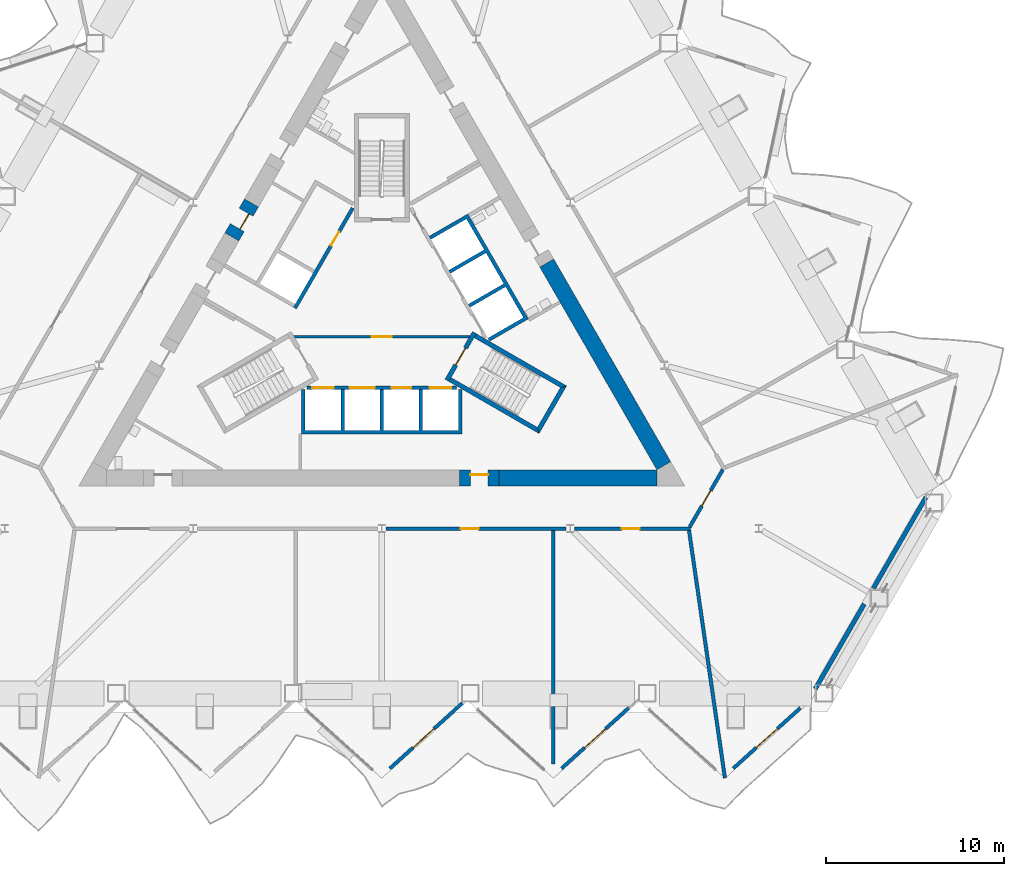
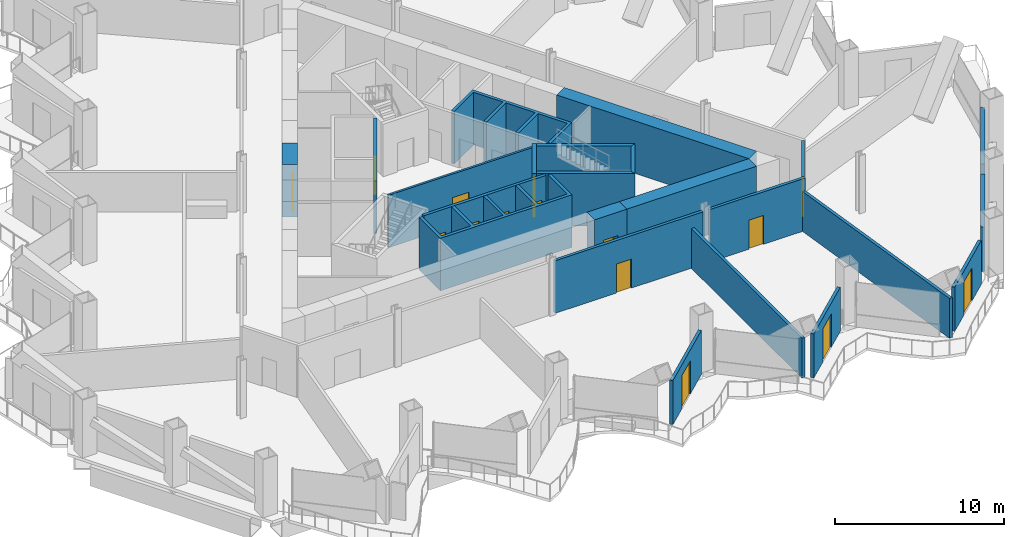
# One storey, part 10 of 22: 23 walls, 15 doors, 15 openings.
"""IFC4 building model written with IfcOpenShell, lengths in metres."""

from ifc_helpers import new_model, si_unit, direction, frame, frame_2d, origin, place, context, subcontext, project, spatial, polyline, rectangle, outline, extrude, material, layer, layer_set, type_object, element, fill, save


model = new_model("IFC4")

# Units and contexts
model_context = context("Model", 3, precision=1e-05, world=origin(), true_north=direction((0.0, 1.0)))
body_context = subcontext(model_context, "Body", "Model", "MODEL_VIEW")
ifc_project = project(units=[si_unit("LENGTHUNIT", "METRE"), si_unit("AREAUNIT", "SQUARE_METRE"), si_unit("VOLUMEUNIT", "CUBIC_METRE"), si_unit("PLANEANGLEUNIT", "RADIAN"), si_unit("MASSUNIT", "GRAM", prefix="KILO")], contexts=[model_context])

# Site, building, storey
site_placement = place(None, origin())
site = spatial("IfcSite", under=ifc_project, at=site_placement, CompositionType="ELEMENT")
building_placement = place(site_placement, origin())
building = spatial("IfcBuilding", under=site, at=building_placement, Name="Cormorant Prow Tower", CompositionType="ELEMENT")
storey_placement = place(building_placement, frame((0.0, 0.0, 30.0)))
storey = spatial("IfcBuildingStorey", under=building, at=storey_placement, Name="L05", CompositionType="ELEMENT", Elevation=30.0)

# Wall, opening, door
ifc_material_1 = material(Name="Gypsum board partition")
ifc_layer_1 = layer(ifc_material_1, 0.14990234375)
ifc_layer_set_1 = layer_set([ifc_layer_1], Name="Gypsum board partition")
wall_type_1 = type_object("IfcWallType", Name="Core partition 150", PredefinedType="PARTITIONING", material=ifc_layer_set_1)
wall_1_placement = place(storey_placement, frame((-4.941162109375, -1.449951171875, 0.0), z_axis=(0.0, 0.0, 1.0), x_axis=(1.0, 0.0, 0.0)))
wall_1 = element("IfcWall", 1, at=wall_1_placement, inside=storey, type_object=wall_type_1, Name="Firefighting lobby partition", PredefinedType="PARTITIONING", context=body_context, shape_type="SweptSolid", body=[
    extrude(rectangle(XDim=9.88232421875, YDim=0.14990234375, at=frame_2d((4.941162109375, 0.0))), origin(), (0.0, 0.0, 1.0), 3.800048828125),
])
opening_1_placement = place(wall_1_placement, frame((4.39111328125, 0.0, 0.0)))
opening_1 = element("IfcOpeningElement", 2, at=opening_1_placement, cuts=wall_1, Name="Opening L05-C10", PredefinedType="OPENING", context=body_context, shape_type="SweptSolid", body=[
    extrude(rectangle(XDim=1.10009765625, YDim=2.10009765625, at=frame_2d((0.550048828125, 1.050048828125))), frame((0.0, 0.0849609375, 0.0), z_axis=(0.0, -1.0, 0.0), x_axis=(1.0, 0.0, 0.0)), (0.0, 0.0, 1.0), 0.169921875),
])
ifc_material_2 = material(Name="Painted steel", Category="steel")
door_type_1 = type_object("IfcDoorType", Name="Firefighting lobby door 1100x2100", OperationType="NOTDEFINED", PredefinedType="DOOR", material=ifc_material_2)
door_1_placement = place(opening_1_placement, origin())
door_1 = element("IfcDoor", 3, at=door_1_placement, inside=storey, type_object=door_type_1, Name="Firefighting lobby door", OperationType="SINGLE_SWING_LEFT", OverallHeight=2.10009765625, OverallWidth=1.10009765625, PredefinedType="DOOR", context=body_context, shape_type="SweptSolid", body=[
    extrude(rectangle(XDim=1.10009765625, YDim=2.10009765625, at=frame_2d((0.550048828125, 1.050048828125))), frame((0.0, 0.02490234375, 0.0), z_axis=(0.0, -1.0, 0.0), x_axis=(1.0, 0.0, 0.0)), (0.0, 0.0, 1.0), 0.050048828125),
])
fill(opening_1, door_1)

# Walls
ifc_material_3 = material(Name="Concrete 8000 psi", Category="concrete")
ifc_layer_2 = layer(ifc_material_3, 0.89990234375)
ifc_layer_set_2 = layer_set([ifc_layer_2], Name="Concrete 8000 psi")
wall_type_2 = type_object("IfcWallType", Name="Core shear wall 900", PredefinedType="SHEAR", material=ifc_layer_set_2)
wall_2_placement = place(storey_placement, frame((6.570556640625, -9.364990234375, 0.0), z_axis=(0.0, 0.0, 1.0), x_axis=(1.0, 0.0, 0.0)))
element("IfcWall", 4, at=wall_2_placement, inside=storey, type_object=wall_type_2, Name="Core wall", PredefinedType="SHEAR", context=body_context, shape_type="SweptSolid", body=[
    extrude(rectangle(XDim=8.87060546875, YDim=0.89990234375, at=frame_2d((4.435302734375, 0.0))), origin(), (0.0, 0.0, 1.0), 3.800048828125),
])
wall_3_placement = place(storey_placement, frame((15.830810546875, -8.68994140625, 0.0), z_axis=(0.0, 0.0, 1.0), x_axis=(-0.499997452939, 0.866026874326, 0.0)))
element("IfcWall", 5, at=wall_3_placement, inside=storey, type_object=wall_type_2, Name="Core wall", PredefinedType="SHEAR", context=body_context, shape_type="SweptSolid", body=[
    extrude(rectangle(XDim=13.14111328125, YDim=0.89990234375, at=frame_2d((6.570556640625, 0.0))), origin(), (0.0, 0.0, 1.0), 3.800048828125),
])

# Wall, opening, door
wall_4_placement = place(storey_placement, frame((4.37060546875, -9.364990234375, 0.0), z_axis=(0.0, 0.0, 1.0), x_axis=(1.0, 0.0, 0.0)))
wall_4 = element("IfcWall", 6, at=wall_4_placement, inside=storey, type_object=wall_type_2, Name="Core wall door panel", PredefinedType="SHEAR", context=body_context, shape_type="SweptSolid", body=[
    extrude(rectangle(XDim=2.199951171875, YDim=0.89990234375, at=frame_2d((1.10009765625, 0.0))), origin(), (0.0, 0.0, 1.0), 3.800048828125),
])
opening_2_placement = place(wall_4_placement, frame((0.60009765625, 0.0, 0.0)))
opening_2 = element("IfcOpeningElement", 7, at=opening_2_placement, cuts=wall_4, Name="Opening L05-C15", PredefinedType="OPENING", context=body_context, shape_type="SweptSolid", body=[
    extrude(rectangle(XDim=1.0, YDim=2.10009765625, at=frame_2d((0.5, 1.050048828125))), frame((0.0, 0.4599609375, 0.0), z_axis=(0.0, -1.0, 0.0), x_axis=(1.0, 0.0, 0.0)), (0.0, 0.0, 1.0), 0.919921875),
])
ifc_material_4 = material(Name="Painted steel", Category="steel")
door_type_2 = type_object("IfcDoorType", Name="Service door 1000x2100", OperationType="NOTDEFINED", PredefinedType="DOOR", material=ifc_material_4)
door_2_placement = place(opening_2_placement, origin())
door_2 = element("IfcDoor", 8, at=door_2_placement, inside=storey, type_object=door_type_2, Name="Core door, Electrical room", OperationType="SINGLE_SWING_RIGHT", OverallHeight=2.10009765625, OverallWidth=1.0, PredefinedType="DOOR", context=body_context, shape_type="SweptSolid", body=[
    extrude(rectangle(XDim=1.0, YDim=2.10009765625, at=frame_2d((0.5, 1.050048828125))), frame((0.0, 0.205078125, 0.0), z_axis=(0.0, -1.0, 0.0), x_axis=(1.0, 0.0, 0.0)), (0.0, 0.0, 1.0), 0.050048828125),
])
fill(opening_2, door_2)

wall_5_placement = place(storey_placement, frame((-7.3134765625, 6.0625, 0.0), z_axis=(0.0, 0.0, 1.0), x_axis=(-0.500077893725, -0.86598042715, 0.0)))
wall_5 = element("IfcWall", 9, at=wall_5_placement, inside=storey, type_object=wall_type_2, Name="Core wall door panel", PredefinedType="SHEAR", context=body_context, shape_type="SweptSolid", body=[
    extrude(rectangle(XDim=2.199951171875, YDim=0.89990234375, at=frame_2d((1.10009765625, 0.0))), origin(), (0.0, 0.0, 1.0), 3.800048828125),
])
opening_3_placement = place(wall_5_placement, frame((0.60009765625, 0.0, 0.0)))
opening_3 = element("IfcOpeningElement", 10, at=opening_3_placement, cuts=wall_5, Name="Opening L05-C18", PredefinedType="OPENING", context=body_context, shape_type="SweptSolid", body=[
    extrude(rectangle(XDim=1.0, YDim=2.10009765625, at=frame_2d((0.5, 1.050048828125))), frame((0.0, 0.4599609375, 0.0), z_axis=(0.0, -1.0, 0.0), x_axis=(1.0, 0.0, 0.0)), (0.0, 0.0, 1.0), 0.919921875),
])
door_3_placement = place(opening_3_placement, origin())
door_3 = element("IfcDoor", 11, at=door_3_placement, inside=storey, type_object=door_type_2, Name="Core door, Housekeeping store", OperationType="SINGLE_SWING_LEFT", OverallHeight=2.10009765625, OverallWidth=1.0, PredefinedType="DOOR", context=body_context, shape_type="SweptSolid", body=[
    extrude(rectangle(XDim=1.0, YDim=2.10009765625, at=frame_2d((0.5, 1.050048828125))), frame((0.0, 0.205078125, 0.0), z_axis=(0.0, -1.0, 0.0), x_axis=(1.0, 0.0, 0.0)), (0.0, 0.0, 1.0), 0.050048828125),
])
fill(opening_3, door_3)

ifc_material_5 = material(Name="Gypsum board corridor wall")
ifc_layer_3 = layer(ifc_material_5, 0.199951171875)
ifc_layer_set_3 = layer_set([ifc_layer_3], Name="Gypsum board corridor wall")
wall_type_3 = type_object("IfcWallType", Name="Corridor wall 200", PredefinedType="PARTITIONING", material=ifc_layer_set_3)
wall_6_placement = place(storey_placement, frame((0.2421875, -12.215087890625, 0.0), z_axis=(0.0, 0.0, 1.0), x_axis=(1.0, 0.0, 0.0)))
wall_6 = element("IfcWall", 12, at=wall_6_placement, inside=storey, type_object=wall_type_3, Name="Corridor wall", PredefinedType="PARTITIONING", context=body_context, shape_type="SweptSolid", body=[
    extrude(rectangle(XDim=10.093994140625, YDim=0.199951171875, at=frame_2d((5.046875, 0.0))), origin(), (0.0, 0.0, 1.0), 3.800048828125),
])
opening_4_placement = place(wall_6_placement, frame((4.193115234375, 0.0, 0.0)))
opening_4 = element("IfcOpeningElement", 13, at=opening_4_placement, cuts=wall_6, Name="Opening L05-F02", PredefinedType="OPENING", context=body_context, shape_type="SweptSolid", body=[
    extrude(rectangle(XDim=1.0, YDim=2.10009765625, at=frame_2d((0.5, 1.050048828125))), frame((0.0, 0.10986328125, 0.0), z_axis=(0.0, -1.0, 0.0), x_axis=(1.0, 0.0, 0.0)), (0.0, 0.0, 1.0), 0.219970703125),
])
ifc_material_6 = material(Name="Timber door leaf", Category="wood")
door_type_3 = type_object("IfcDoorType", Name="Office door 1000x2100", OperationType="NOTDEFINED", PredefinedType="DOOR", material=ifc_material_6)
door_4_placement = place(opening_4_placement, origin())
door_4 = element("IfcDoor", 14, at=door_4_placement, inside=storey, type_object=door_type_3, Name="Tenant reception door", OperationType="SINGLE_SWING_LEFT", OverallHeight=2.10009765625, OverallWidth=1.0, PredefinedType="DOOR", context=body_context, shape_type="SweptSolid", body=[
    extrude(rectangle(XDim=1.0, YDim=2.10009765625, at=frame_2d((0.5, 1.050048828125))), frame((0.0, 0.02490234375, 0.0), z_axis=(0.0, -1.0, 0.0), x_axis=(1.0, 0.0, 0.0)), (0.0, 0.0, 1.0), 0.050048828125),
])
fill(opening_4, door_4)

wall_7_placement = place(storey_placement, frame((10.82080078125, -12.215087890625, 0.0), z_axis=(0.0, 0.0, 1.0), x_axis=(1.0, 0.0, 0.0)))
wall_7 = element("IfcWall", 15, at=wall_7_placement, inside=storey, type_object=wall_type_3, Name="Corridor wall", PredefinedType="PARTITIONING", context=body_context, shape_type="SweptSolid", body=[
    extrude(rectangle(XDim=6.510009765625, YDim=0.199951171875, at=frame_2d((3.2548828125, 0.0))), origin(), (0.0, 0.0, 1.0), 3.800048828125),
])
opening_5_placement = place(wall_7_placement, frame((2.65478515625, 0.0, 0.0)))
opening_5 = element("IfcOpeningElement", 16, at=opening_5_placement, cuts=wall_7, Name="Opening L05-F03", PredefinedType="OPENING", context=body_context, shape_type="SweptSolid", body=[
    extrude(rectangle(XDim=1.0, YDim=2.10009765625, at=frame_2d((0.5, 1.050048828125))), frame((0.0, 0.10986328125, 0.0), z_axis=(0.0, -1.0, 0.0), x_axis=(1.0, 0.0, 0.0)), (0.0, 0.0, 1.0), 0.219970703125),
])
door_5_placement = place(opening_5_placement, origin())
door_5 = element("IfcDoor", 17, at=door_5_placement, inside=storey, type_object=door_type_3, Name="Tenant suite door", OperationType="SINGLE_SWING_LEFT", OverallHeight=2.10009765625, OverallWidth=1.0, PredefinedType="DOOR", context=body_context, shape_type="SweptSolid", body=[
    extrude(rectangle(XDim=1.0, YDim=2.10009765625, at=frame_2d((0.5, 1.050048828125))), frame((0.0, 0.02490234375, 0.0), z_axis=(0.0, -1.0, 0.0), x_axis=(1.0, 0.0, 0.0)), (0.0, 0.0, 1.0), 0.050048828125),
])
fill(opening_5, door_5)

wall_8_placement = place(storey_placement, frame((17.281005859375, -12.12841796875, 0.0), z_axis=(0.0, 0.0, 1.0), x_axis=(0.499958791762, 0.866049194065, 0.0)))
wall_8 = element("IfcWall", 18, at=wall_8_placement, inside=storey, type_object=wall_type_3, Name="Corridor wall", PredefinedType="PARTITIONING", context=body_context, shape_type="SweptSolid", body=[
    extrude(rectangle(XDim=3.725830078125, YDim=0.199951171875, at=frame_2d((1.86279296875, 0.0))), origin(), (0.0, 0.0, 1.0), 3.800048828125),
])
opening_6_placement = place(wall_8_placement, frame((1.363037109375, 0.0, 0.0)))
opening_6 = element("IfcOpeningElement", 19, at=opening_6_placement, cuts=wall_8, Name="Opening L05-F04", PredefinedType="OPENING", context=body_context, shape_type="SweptSolid", body=[
    extrude(rectangle(XDim=1.0, YDim=2.10009765625, at=frame_2d((0.5, 1.050048828125))), frame((0.0, 0.10986328125, 0.0), z_axis=(0.0, -1.0, 0.0), x_axis=(1.0, 0.0, 0.0)), (0.0, 0.0, 1.0), 0.219970703125),
])
door_6_placement = place(opening_6_placement, origin())
door_6 = element("IfcDoor", 20, at=door_6_placement, inside=storey, type_object=door_type_3, Name="Tenant suite door", OperationType="SINGLE_SWING_RIGHT", OverallHeight=2.10009765625, OverallWidth=1.0, PredefinedType="DOOR", context=body_context, shape_type="SweptSolid", body=[
    extrude(rectangle(XDim=1.0, YDim=2.10009765625, at=frame_2d((0.5, 1.050048828125))), frame((0.0, 0.02490234375, 0.0), z_axis=(0.0, -1.0, 0.0), x_axis=(1.0, 0.0, 0.0)), (0.0, 0.0, 1.0), 0.050048828125),
])
fill(opening_6, door_6)

# Walls
ifc_material_7 = material(Name="Gypsum board demising wall")
ifc_layer_4 = layer(ifc_material_7, 0.199951171875)
ifc_layer_set_4 = layer_set([ifc_layer_4], Name="Gypsum board demising wall")
wall_type_4 = type_object("IfcWallType", Name="Demising wall 200", PredefinedType="PARTITIONING", material=ifc_layer_set_4)
wall_9_placement = place(storey_placement, frame((17.245361328125, -12.31396484375, 0.0), z_axis=(0.0, 0.0, 1.0), x_axis=(0.143525263071, -0.989646653539, 0.0)))
element("IfcWall", 21, at=wall_9_placement, inside=storey, type_object=wall_type_4, Name="Demising wall", PredefinedType="PARTITIONING", context=body_context, shape_type="SweptSolid", body=[
    extrude(rectangle(XDim=14.050537109375, YDim=0.199951171875, at=frame_2d((7.025390625, 0.0))), origin(), (0.0, 0.0, 1.0), 2.88525390625),
])
wall_10_placement = place(storey_placement, frame((9.635009765625, -25.42138671875, 0.0), z_axis=(0.0, 0.0, 1.0), x_axis=(0.0, 1.0, 0.0)))
element("IfcWall", 22, at=wall_10_placement, inside=storey, type_object=wall_type_4, Name="Demising wall", PredefinedType="PARTITIONING", context=body_context, shape_type="SweptSolid", body=[
    extrude(rectangle(XDim=13.1064453125, YDim=0.199951171875, at=frame_2d((6.55322265625, 0.0))), origin(), (0.0, 0.0, 1.0), 2.88525390625),
])

# Wall, openings, doors
ifc_material_8 = material(Name="Concrete 5000 psi", Category="concrete")
ifc_layer_5 = layer(ifc_material_8, 0.199951171875)
ifc_layer_set_5 = layer_set([ifc_layer_5], Name="Concrete 5000 psi")
wall_type_5 = type_object("IfcWallType", Name="Lift lobby wall 200", PredefinedType="SOLIDWALL", material=ifc_layer_set_5)
wall_11_placement = place(storey_placement, frame((-4.1865234375, -4.300048828125, 0.0), z_axis=(0.0, 0.0, 1.0), x_axis=(1.0, 0.0, 0.0)))
wall_11 = element("IfcWall", 23, at=wall_11_placement, inside=storey, type_object=wall_type_5, Name="Lift lobby wall, S block", PredefinedType="SOLIDWALL", context=body_context, shape_type="SweptSolid", body=[
    extrude(rectangle(XDim=8.373046875, YDim=0.199951171875, at=frame_2d((4.1865234375, 0.0))), origin(), (0.0, 0.0, 1.0), 3.800048828125),
])
opening_7_placement = place(wall_11_placement, frame((0.28662109375, 0.0, 0.0)))
opening_7 = element("IfcOpeningElement", 24, at=opening_7_placement, cuts=wall_11, Name="Opening L05-C01", PredefinedType="OPENING", context=body_context, shape_type="SweptSolid", body=[
    extrude(rectangle(XDim=1.199951171875, YDim=2.10009765625, at=frame_2d((0.60009765625, 1.050048828125))), frame((0.0, 0.10986328125, 0.0), z_axis=(0.0, -1.0, 0.0), x_axis=(1.0, 0.0, 0.0)), (0.0, 0.0, 1.0), 0.219970703125),
])
opening_8_placement = place(wall_11_placement, frame((2.38671875, 0.0, 0.0)))
opening_8 = element("IfcOpeningElement", 25, at=opening_8_placement, cuts=wall_11, Name="Opening L05-C02", PredefinedType="OPENING", context=body_context, shape_type="SweptSolid", body=[
    extrude(rectangle(XDim=1.39990234375, YDim=2.10009765625, at=frame_2d((0.699951171875, 1.050048828125))), frame((0.0, 0.10986328125, 0.0), z_axis=(0.0, -1.0, 0.0), x_axis=(1.0, 0.0, 0.0)), (0.0, 0.0, 1.0), 0.219970703125),
])
opening_9_placement = place(wall_11_placement, frame((4.736572265625, 0.0, 0.0)))
opening_9 = element("IfcOpeningElement", 26, at=opening_9_placement, cuts=wall_11, Name="Opening L05-C03", PredefinedType="OPENING", context=body_context, shape_type="SweptSolid", body=[
    extrude(rectangle(XDim=1.10009765625, YDim=2.10009765625, at=frame_2d((0.550048828125, 1.050048828125))), frame((0.0, 0.10986328125, 0.0), z_axis=(0.0, -1.0, 0.0), x_axis=(1.0, 0.0, 0.0)), (0.0, 0.0, 1.0), 0.219970703125),
])
opening_10_placement = place(wall_11_placement, frame((6.88671875, 0.0, 0.0)))
opening_10 = element("IfcOpeningElement", 27, at=opening_10_placement, cuts=wall_11, Name="Opening L05-C04", PredefinedType="OPENING", context=body_context, shape_type="SweptSolid", body=[
    extrude(rectangle(XDim=1.199951171875, YDim=2.10009765625, at=frame_2d((0.60009765625, 1.050048828125))), frame((0.0, 0.10986328125, 0.0), z_axis=(0.0, -1.0, 0.0), x_axis=(1.0, 0.0, 0.0)), (0.0, 0.0, 1.0), 0.219970703125),
])
ifc_material_9 = material(Name="Painted steel", Category="steel")
door_type_4 = type_object("IfcDoorType", Name="Firefighting lift landing door 1200x2100", OperationType="SLIDING_TO_LEFT", PredefinedType="DOOR", material=ifc_material_9)
door_7_placement = place(opening_7_placement, origin())
door_7 = element("IfcDoor", 28, at=door_7_placement, inside=storey, type_object=door_type_4, Name="Landing door FL1", OperationType="SLIDING_TO_LEFT", OverallHeight=2.10009765625, OverallWidth=1.199951171875, PredefinedType="DOOR", context=body_context, shape_type="SweptSolid", body=[
    extrude(rectangle(XDim=1.199951171875, YDim=2.10009765625, at=frame_2d((0.60009765625, 1.050048828125))), frame((0.0, 0.02490234375, 0.0), z_axis=(0.0, -1.0, 0.0), x_axis=(1.0, 0.0, 0.0)), (0.0, 0.0, 1.0), 0.050048828125),
])
fill(opening_7, door_7)
door_8_placement = place(opening_10_placement, origin())
door_8 = element("IfcDoor", 29, at=door_8_placement, inside=storey, type_object=door_type_4, Name="Landing door FL2", OperationType="SLIDING_TO_LEFT", OverallHeight=2.10009765625, OverallWidth=1.199951171875, PredefinedType="DOOR", context=body_context, shape_type="SweptSolid", body=[
    extrude(rectangle(XDim=1.199951171875, YDim=2.10009765625, at=frame_2d((0.60009765625, 1.050048828125))), frame((0.0, 0.02490234375, 0.0), z_axis=(0.0, -1.0, 0.0), x_axis=(1.0, 0.0, 0.0)), (0.0, 0.0, 1.0), 0.050048828125),
])
fill(opening_10, door_8)
ifc_material_10 = material(Name="Painted steel", Category="steel")
door_type_5 = type_object("IfcDoorType", Name="Lift landing door 1100x2100", OperationType="SLIDING_TO_LEFT", PredefinedType="DOOR", material=ifc_material_10)
door_9_placement = place(opening_9_placement, origin())
door_9 = element("IfcDoor", 30, at=door_9_placement, inside=storey, type_object=door_type_5, Name="Landing door LR1", OperationType="SLIDING_TO_LEFT", OverallHeight=2.10009765625, OverallWidth=1.10009765625, PredefinedType="DOOR", context=body_context, shape_type="SweptSolid", body=[
    extrude(rectangle(XDim=1.10009765625, YDim=2.10009765625, at=frame_2d((0.550048828125, 1.050048828125))), frame((0.0, 0.02490234375, 0.0), z_axis=(0.0, -1.0, 0.0), x_axis=(1.0, 0.0, 0.0)), (0.0, 0.0, 1.0), 0.050048828125),
])
fill(opening_9, door_9)
ifc_material_11 = material(Name="Painted steel", Category="steel")
door_type_6 = type_object("IfcDoorType", Name="Service lift landing door 1400x2100", OperationType="SLIDING_TO_LEFT", PredefinedType="DOOR", material=ifc_material_11)
door_10_placement = place(opening_8_placement, origin())
door_10 = element("IfcDoor", 31, at=door_10_placement, inside=storey, type_object=door_type_6, Name="Landing door SL1", OperationType="SLIDING_TO_LEFT", OverallHeight=2.10009765625, OverallWidth=1.39990234375, PredefinedType="DOOR", context=body_context, shape_type="SweptSolid", body=[
    extrude(rectangle(XDim=1.39990234375, YDim=2.10009765625, at=frame_2d((0.699951171875, 1.050048828125))), frame((0.0, 0.02490234375, 0.0), z_axis=(0.0, -1.0, 0.0), x_axis=(1.0, 0.0, 0.0)), (0.0, 0.0, 1.0), 0.050048828125),
])
fill(opening_8, door_10)

# Wall, opening, door
wall_12_placement = place(storey_placement, frame((-1.630615234375, 5.775634765625, 0.0), z_axis=(0.0, 0.0, 1.0), x_axis=(-0.499992876559, -0.866029516466, 0.0)))
wall_12 = element("IfcWall", 32, at=wall_12_placement, inside=storey, type_object=wall_type_5, Name="Lift lobby wall, WNW block", PredefinedType="SOLIDWALL", context=body_context, shape_type="SweptSolid", body=[
    extrude(rectangle(XDim=6.486328125, YDim=0.199951171875, at=frame_2d((3.2431640625, 0.0))), origin(), (0.0, 0.0, 1.0), 3.800048828125),
])
opening_11_placement = place(wall_12_placement, frame((1.53662109375, 0.0, 0.0)))
opening_11 = element("IfcOpeningElement", 33, at=opening_11_placement, cuts=wall_12, Name="Opening L05-C09", PredefinedType="OPENING", context=body_context, shape_type="SweptSolid", body=[
    extrude(rectangle(XDim=0.89990234375, YDim=2.10009765625, at=frame_2d((0.449951171875, 1.050048828125))), frame((0.0, 0.10986328125, 0.0), z_axis=(0.0, -1.0, 0.0), x_axis=(1.0, 0.0, 0.0)), (0.0, 0.0, 1.0), 0.219970703125),
])
ifc_material_12 = material(Name="Painted steel", Category="steel")
door_type_7 = type_object("IfcDoorType", Name="Service door 900x2100", OperationType="NOTDEFINED", PredefinedType="DOOR", material=ifc_material_12)
door_11_placement = place(opening_11_placement, origin())
door_11 = element("IfcDoor", 34, at=door_11_placement, inside=storey, type_object=door_type_7, Name="Service door, Linen store", OperationType="SINGLE_SWING_LEFT", OverallHeight=2.10009765625, OverallWidth=0.89990234375, PredefinedType="DOOR", context=body_context, shape_type="SweptSolid", body=[
    extrude(rectangle(XDim=0.89990234375, YDim=2.10009765625, at=frame_2d((0.449951171875, 1.050048828125))), frame((0.0, 0.02490234375, 0.0), z_axis=(0.0, -1.0, 0.0), x_axis=(1.0, 0.0, 0.0)), (0.0, 0.0, 1.0), 0.050048828125),
])
fill(opening_11, door_11)

# Walls
ifc_material_13 = material(Name="Concrete 8000 psi", Category="concrete")
ifc_layer_6 = layer(ifc_material_13, 0.199951171875)
ifc_layer_set_6 = layer_set([ifc_layer_6], Name="Concrete 8000 psi")
wall_type_6 = type_object("IfcWallType", Name="Lift shaft wall 200", PredefinedType="SHEAR", material=ifc_layer_set_6)
wall_13_placement = place(storey_placement, origin())
element("IfcWall", 35, at=wall_13_placement, inside=storey, type_object=wall_type_6, Name="Lift shaft walls, S block", PredefinedType="SHEAR", context=body_context, shape_type="SweptSolid", body=[
    extrude(outline(polyline([(4.5, -4.39990234375), (4.5, -6.906005859375), (-4.5, -6.906005859375), (-4.5, -4.39990234375), (-4.300048828125, -4.39990234375), (-4.300048828125, -6.699951171875), (-2.300048828125, -6.699951171875), (-2.300048828125, -4.39990234375), (-2.10009765625, -4.39990234375), (-2.10009765625, -6.699951171875), (-0.10009765625, -6.699951171875), (-0.10009765625, -4.39990234375), (0.10009765625, -4.39990234375), (0.10009765625, -6.699951171875), (2.10009765625, -6.699951171875), (2.10009765625, -4.39990234375), (2.300048828125, -4.39990234375), (2.300048828125, -6.699951171875), (4.300048828125, -6.699951171875), (4.300048828125, -4.39990234375), (4.5, -4.39990234375)])), origin(), (0.0, 0.0, 1.0), 3.800048828125),
])
wall_14_placement = place(storey_placement, origin())
element("IfcWall", 36, at=wall_14_placement, inside=storey, type_object=wall_type_6, Name="Lift shaft walls, ENE block", PredefinedType="SHEAR", context=body_context, shape_type="SweptSolid", body=[
    extrude(outline(polyline([(2.660400390625, 4.19189453125), (4.830810546875, 5.44482421875), (8.230712890625, -0.444091796875), (6.060546875, -1.697021484375), (5.96044921875, -1.52392578125), (7.952392578125, -0.373779296875), (6.952392578125, 1.358154296875), (4.96044921875, 0.2080078125), (4.860595703125, 0.38134765625), (6.852294921875, 1.53125), (5.852294921875, 3.263427734375), (3.860595703125, 2.11328125), (3.760498046875, 2.28662109375), (5.75244140625, 3.4365234375), (4.75244140625, 5.168701171875), (2.760498046875, 4.018798828125), (2.660400390625, 4.19189453125)])), origin(), (0.0, 0.0, 1.0), 3.800048828125),
])
ifc_material_14 = material(Name="Concrete 8000 psi", Category="concrete")
ifc_layer_7 = layer(ifc_material_14, 0.25)
ifc_layer_set_7 = layer_set([ifc_layer_7], Name="Concrete 8000 psi")
wall_type_7 = type_object("IfcWallType", Name="Stair wall 250", PredefinedType="SHEAR", material=ifc_layer_set_7)
wall_15_placement = place(storey_placement, origin())
element("IfcWall", 37, at=wall_15_placement, inside=storey, type_object=wall_type_7, Name="Stair ST2 enclosure wall (flank)", PredefinedType="SHEAR", context=body_context, shape_type="SweptSolid", body=[
    extrude(outline(polyline([(3.76318359375, -3.95556640625), (8.82958984375, -6.880615234375), (8.738037109375, -6.5390625), (3.88818359375, -3.739013671875), (3.76318359375, -3.95556640625)])), origin(), (0.0, 0.0, 1.0), 3.800048828125),
])
wall_16_placement = place(storey_placement, origin())
element("IfcWall", 38, at=wall_16_placement, inside=storey, type_object=wall_type_7, Name="Stair ST2 enclosure wall (end)", PredefinedType="SHEAR", context=body_context, shape_type="SweptSolid", body=[
    extrude(outline(polyline([(8.82958984375, -6.880615234375), (10.37353515625, -4.206298828125), (10.031982421875, -4.2978515625), (8.738037109375, -6.5390625), (8.82958984375, -6.880615234375)])), origin(), (0.0, 0.0, 1.0), 3.800048828125),
])
wall_17_placement = place(storey_placement, origin())
element("IfcWall", 39, at=wall_17_placement, inside=storey, type_object=wall_type_7, Name="Stair ST2 enclosure wall (flank)", PredefinedType="SHEAR", context=body_context, shape_type="SweptSolid", body=[
    extrude(outline(polyline([(10.031982421875, -4.2978515625), (10.37353515625, -4.206298828125), (5.30712890625, -1.28125), (5.18212890625, -1.497802734375), (10.031982421875, -4.2978515625)])), origin(), (0.0, 0.0, 1.0), 3.800048828125),
])

# Wall, opening, door
wall_18_placement = place(storey_placement, frame((3.655029296875, -3.89306640625, 0.0), z_axis=(0.0, 0.0, 1.0), x_axis=(0.499982516597, 0.866035497597, 0.0)))
wall_18 = element("IfcWall", 40, at=wall_18_placement, inside=storey, type_object=wall_type_7, Name="Stair ST2 door wall", PredefinedType="SHEAR", context=body_context, shape_type="SweptSolid", body=[
    extrude(rectangle(XDim=3.087890625, YDim=0.25, at=frame_2d((1.5439453125, 0.0))), origin(), (0.0, 0.0, 1.0), 3.800048828125),
])
opening_12_placement = place(wall_18_placement, frame((0.993896484375, 0.0, 0.0)))
opening_12 = element("IfcOpeningElement", 41, at=opening_12_placement, cuts=wall_18, Name="Opening L05-C12", PredefinedType="OPENING", context=body_context, shape_type="SweptSolid", body=[
    extrude(rectangle(XDim=1.10009765625, YDim=2.10009765625, at=frame_2d((0.550048828125, 1.050048828125))), frame((0.0, 0.135009765625, 0.0), z_axis=(0.0, -1.0, 0.0), x_axis=(1.0, 0.0, 0.0)), (0.0, 0.0, 1.0), 0.27001953125),
])
ifc_material_15 = material(Name="Painted steel", Category="steel")
door_type_8 = type_object("IfcDoorType", Name="Stair door 1100x2100", OperationType="NOTDEFINED", PredefinedType="DOOR", material=ifc_material_15)
door_12_placement = place(opening_12_placement, origin())
door_12 = element("IfcDoor", 42, at=door_12_placement, inside=storey, type_object=door_type_8, Name="Stair ST2 door", OperationType="SINGLE_SWING_RIGHT", OverallHeight=2.10009765625, OverallWidth=1.10009765625, PredefinedType="DOOR", context=body_context, shape_type="SweptSolid", body=[
    extrude(rectangle(XDim=1.10009765625, YDim=2.10009765625, at=frame_2d((0.550048828125, 1.050048828125))), frame((0.0, 0.02490234375, 0.0), z_axis=(0.0, -1.0, 0.0), x_axis=(1.0, 0.0, 0.0)), (0.0, 0.0, 1.0), 0.050048828125),
])
fill(opening_12, door_12)

# Walls
ifc_material_16 = material(Name="Terracotta", Category="masonry")
ifc_layer_8 = layer(ifc_material_16, 0.25)
ifc_layer_set_8 = layer_set([ifc_layer_8], Name="Terracotta")
wall_type_8 = type_object("IfcWallType", Name="Terracotta bay wall 250", PredefinedType="SOLIDWALL", material=ifc_layer_set_8)
wall_19_placement = place(storey_placement, frame((24.3310546875, -21.21728515625, 0.0), z_axis=(0.0, 0.0, 1.0), x_axis=(0.500006469283, 0.86602166871, 0.0)))
element("IfcWall", 43, at=wall_19_placement, inside=storey, type_object=wall_type_8, Name="Terracotta bay wall ESE00", PredefinedType="SOLIDWALL", context=body_context, shape_type="SweptSolid", body=[
    extrude(rectangle(XDim=5.50634765625, YDim=0.25, at=frame_2d((2.753173828125, 0.0))), origin(), (0.0, 0.0, 1.0), 3.18896484375),
])
wall_20_placement = place(storey_placement, frame((27.59326171875, -15.56689453125, 0.0), z_axis=(0.0, 0.0, 1.0), x_axis=(0.500010498135, 0.866019342599, 0.0)))
element("IfcWall", 44, at=wall_20_placement, inside=storey, type_object=wall_type_8, Name="Terracotta bay wall ESE01", PredefinedType="SOLIDWALL", context=body_context, shape_type="SweptSolid", body=[
    extrude(rectangle(XDim=5.893798828125, YDim=0.25, at=frame_2d((2.94677734375, 0.0))), origin(), (0.0, 0.0, 1.0), 3.18896484375),
])

# Wall, opening, door
ifc_material_17 = material(Name="Terracotta", Category="masonry")
ifc_layer_9 = layer(ifc_material_17, 0.199951171875)
ifc_layer_set_9 = layer_set([ifc_layer_9], Name="Terracotta")
wall_type_9 = type_object("IfcWallType", Name="Terracotta jamb wall 200", PredefinedType="SOLIDWALL", material=ifc_layer_set_9)
wall_21_placement = place(storey_placement, frame((0.45556640625, -25.681640625, 0.0), z_axis=(0.0, 0.0, 1.0), x_axis=(0.743138867168, 0.669137223673, 0.0)))
wall_21 = element("IfcWall", 45, at=wall_21_placement, inside=storey, type_object=wall_type_9, Name="Terracotta jamb wall S05", PredefinedType="SOLIDWALL", context=body_context, shape_type="SweptSolid", body=[
    extrude(rectangle(XDim=5.47314453125, YDim=0.199951171875, at=frame_2d((2.736572265625, 0.0))), origin(), (0.0, 0.0, 1.0), 3.18896484375),
])
opening_13_placement = place(wall_21_placement, frame((1.73828125, 0.0, 0.0)))
opening_13 = element("IfcOpeningElement", 46, at=opening_13_placement, cuts=wall_21, Name="Opening ED05.03", PredefinedType="OPENING", context=body_context, shape_type="SweptSolid", body=[
    extrude(rectangle(XDim=1.60009765625, YDim=2.39990234375, at=frame_2d((0.800048828125, 1.199951171875))), frame((0.0, 0.10986328125, 0.0), z_axis=(0.0, -1.0, 0.0), x_axis=(1.0, 0.0, 0.0)), (0.0, 0.0, 1.0), 0.219970703125),
])
ifc_material_18 = material(Name="Aluminium 6063-T6", Category="aluminium")
door_type_9 = type_object("IfcDoorType", Name="Balcony door 1600x2400", OperationType="DOUBLE_DOOR_SINGLE_SWING", PredefinedType="DOOR", material=ifc_material_18)
door_13_placement = place(opening_13_placement, origin())
door_13 = element("IfcDoor", 47, at=door_13_placement, inside=storey, type_object=door_type_9, Name="Balcony door S05 ED05.03", OperationType="DOUBLE_DOOR_SINGLE_SWING", OverallHeight=2.39990234375, OverallWidth=1.60009765625, PredefinedType="DOOR", context=body_context, shape_type="SweptSolid", body=[
    extrude(rectangle(XDim=1.60009765625, YDim=2.39990234375, at=frame_2d((0.800048828125, 1.199951171875))), frame((0.0, 0.02490234375, 0.0), z_axis=(0.0, -1.0, 0.0), x_axis=(1.0, 0.0, 0.0)), (0.0, 0.0, 1.0), 0.050048828125),
])
fill(opening_13, door_13)

wall_22_placement = place(storey_placement, frame((10.090576171875, -25.681640625, 0.0), z_axis=(0.0, 0.0, 1.0), x_axis=(0.74314347906, 0.669132101704, 0.0)))
wall_22 = element("IfcWall", 48, at=wall_22_placement, inside=storey, type_object=wall_type_9, Name="Terracotta jamb wall S07", PredefinedType="SOLIDWALL", context=body_context, shape_type="SweptSolid", body=[
    extrude(rectangle(XDim=5.07666015625, YDim=0.199951171875, at=frame_2d((2.538330078125, 0.0))), origin(), (0.0, 0.0, 1.0), 3.18896484375),
])
opening_14_placement = place(wall_22_placement, frame((1.73828125, 0.0, 0.0)))
opening_14 = element("IfcOpeningElement", 49, at=opening_14_placement, cuts=wall_22, Name="Opening ED05.04", PredefinedType="OPENING", context=body_context, shape_type="SweptSolid", body=[
    extrude(rectangle(XDim=1.60009765625, YDim=2.39990234375, at=frame_2d((0.800048828125, 1.199951171875))), frame((0.0, 0.10986328125, 0.0), z_axis=(0.0, -1.0, 0.0), x_axis=(1.0, 0.0, 0.0)), (0.0, 0.0, 1.0), 0.219970703125),
])
door_14_placement = place(opening_14_placement, origin())
door_14 = element("IfcDoor", 50, at=door_14_placement, inside=storey, type_object=door_type_9, Name="Balcony door S07 ED05.04", OperationType="DOUBLE_DOOR_SINGLE_SWING", OverallHeight=2.39990234375, OverallWidth=1.60009765625, PredefinedType="DOOR", context=body_context, shape_type="SweptSolid", body=[
    extrude(rectangle(XDim=1.60009765625, YDim=2.39990234375, at=frame_2d((0.800048828125, 1.199951171875))), frame((0.0, 0.02490234375, 0.0), z_axis=(0.0, -1.0, 0.0), x_axis=(1.0, 0.0, 0.0)), (0.0, 0.0, 1.0), 0.050048828125),
])
fill(opening_14, door_14)

wall_23_placement = place(storey_placement, frame((19.725830078125, -25.681640625, 0.0), z_axis=(0.0, 0.0, 1.0), x_axis=(0.74314347906, 0.669132101704, 0.0)))
wall_23 = element("IfcWall", 51, at=wall_23_placement, inside=storey, type_object=wall_type_9, Name="Terracotta jamb wall S09", PredefinedType="SOLIDWALL", context=body_context, shape_type="SweptSolid", body=[
    extrude(rectangle(XDim=5.07666015625, YDim=0.199951171875, at=frame_2d((2.538330078125, 0.0))), origin(), (0.0, 0.0, 1.0), 3.18896484375),
])
opening_15_placement = place(wall_23_placement, frame((1.73828125, 0.0, 0.0)))
opening_15 = element("IfcOpeningElement", 52, at=opening_15_placement, cuts=wall_23, Name="Opening ED05.05", PredefinedType="OPENING", context=body_context, shape_type="SweptSolid", body=[
    extrude(rectangle(XDim=1.60009765625, YDim=2.39990234375, at=frame_2d((0.800048828125, 1.199951171875))), frame((0.0, 0.10986328125, 0.0), z_axis=(0.0, -1.0, 0.0), x_axis=(1.0, 0.0, 0.0)), (0.0, 0.0, 1.0), 0.219970703125),
])
door_15_placement = place(opening_15_placement, origin())
door_15 = element("IfcDoor", 53, at=door_15_placement, inside=storey, type_object=door_type_9, Name="Balcony door S09 ED05.05", OperationType="DOUBLE_DOOR_SINGLE_SWING", OverallHeight=2.39990234375, OverallWidth=1.60009765625, PredefinedType="DOOR", context=body_context, shape_type="SweptSolid", body=[
    extrude(rectangle(XDim=1.60009765625, YDim=2.39990234375, at=frame_2d((0.800048828125, 1.199951171875))), frame((0.0, 0.02490234375, 0.0), z_axis=(0.0, -1.0, 0.0), x_axis=(1.0, 0.0, 0.0)), (0.0, 0.0, 1.0), 0.050048828125),
])
fill(opening_15, door_15)

save(model, "model.ifc")
